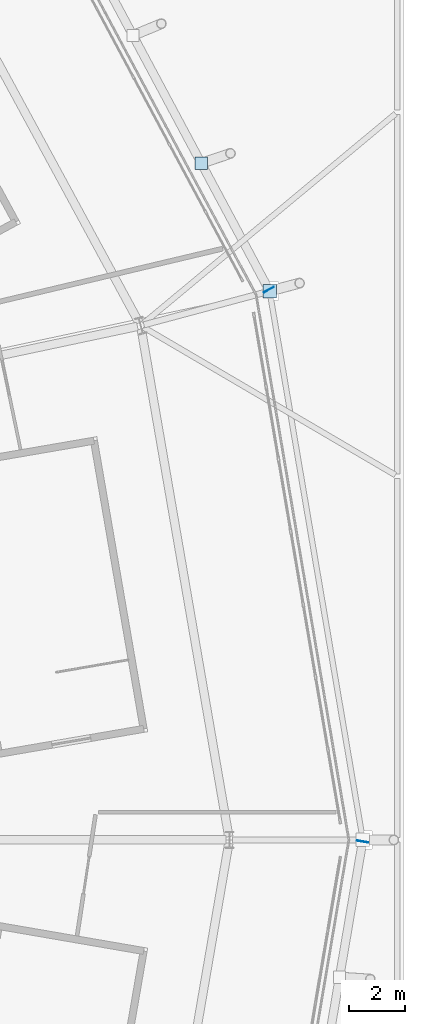
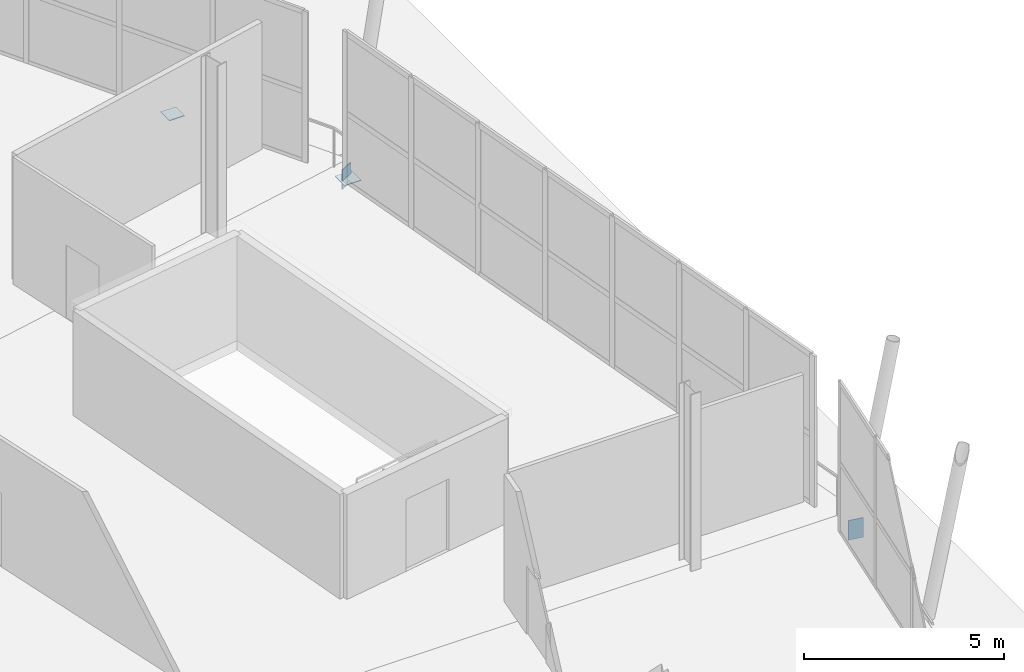
# One storey, part 87 of 126: 4 plates.
"""IFC4 building model written with IfcOpenShell, lengths in metres."""

from ifc_helpers import new_model, si_unit, direction, frame, origin, origin_2d, place, context, subcontext, project, spatial, rectangle, extrude, material, layer, layer_set, type_object, element, save


model = new_model("IFC4")

# Units and contexts
model_context = context("Model", 3, precision=1e-05, world=origin(), true_north=direction((0.0, 1.0)))
body_context = subcontext(model_context, "Body", "Model", "MODEL_VIEW")
ifc_project = project(units=[si_unit("LENGTHUNIT", "METRE"), si_unit("AREAUNIT", "SQUARE_METRE"), si_unit("VOLUMEUNIT", "CUBIC_METRE"), si_unit("PLANEANGLEUNIT", "RADIAN"), si_unit("MASSUNIT", "GRAM", prefix="KILO")], contexts=[model_context])

# Site, building, storey
site_placement = place(None, origin())
site = spatial("IfcSite", under=ifc_project, at=site_placement, CompositionType="ELEMENT")
building_placement = place(site_placement, origin())
building = spatial("IfcBuilding", under=site, at=building_placement, Name="Zlatoyarsky Gate Stadium", CompositionType="ELEMENT")
storey_placement = place(building_placement, frame((0.0, 0.0, 20.800048828125)))
storey = spatial("IfcBuildingStorey", under=building, at=storey_placement, Name="L04", CompositionType="ELEMENT", Elevation=20.800048828125)

# Plates
ifc_material = material(Name="Steel S355", Category="steel")
ifc_layer = layer(ifc_material, 0.02392578125)
ifc_layer_set = layer_set([ifc_layer], Name="Steel S355")
plate_type = type_object("IfcPlateType", Name="STEEL HOLLOW CHORD SPLICE SHEET 24", PredefinedType="SHEET", material=ifc_layer_set)
plate_1_placement = place(storey_placement, frame((205.409912109375, 99.66357421875, -0.85009765625), z_axis=(0.0, 0.0, 1.0), x_axis=(-0.471375588462, 0.881932568059, 0.0)))
element("IfcPlate", 1, at=plate_1_placement, inside=storey, type_object=plate_type, Name="Hollow end cap ND-SP1 CAP-L04-SPD-01 A", PredefinedType="SHEET", context=body_context, shape_type="SweptSolid", body=[
    extrude(rectangle(XDim=0.02392578125, YDim=0.39990234375, at=origin_2d()), origin(), (0.0, 0.0, 1.0), 0.60009765625),
])
plate_2_placement = place(storey_placement, frame((205.438232421875, 99.610595703125, -0.612060546875), z_axis=(0.0, 0.0, 1.0), x_axis=(1.0, 0.0, 0.0)))
element("IfcPlate", 2, at=plate_2_placement, inside=storey, type_object=plate_type, Name="Node closure plate ND-SP1 NCAP-L04-RSTR-01", PredefinedType="SHEET", context=body_context, shape_type="SweptSolid", body=[
    extrude(rectangle(XDim=0.47998046875, YDim=0.47998046875, at=origin_2d()), origin(), (0.0, 0.0, 1.0), 0.02392578125),
])
plate_3_placement = place(storey_placement, frame((208.759521484375, 79.94091796875, -0.85009765625), z_axis=(0.0, 0.0, 1.0), x_axis=(0.167478129765, 0.985875791391, 0.0)))
element("IfcPlate", 3, at=plate_3_placement, inside=storey, type_object=plate_type, Name="Hollow end cap ND-SP1 CAP-L04-SPD-23 B", PredefinedType="SHEET", context=body_context, shape_type="SweptSolid", body=[
    extrude(rectangle(XDim=0.02392578125, YDim=0.39990234375, at=origin_2d()), origin(), (0.0, 0.0, 1.0), 0.60009765625),
])
plate_4_placement = place(storey_placement, frame((202.996337890625, 104.17919921875, -0.56201171875), z_axis=(0.0, 0.0, 1.0), x_axis=(1.0, 0.0, 0.0)))
element("IfcPlate", 4, at=plate_4_placement, inside=storey, type_object=plate_type, Name="Node closure plate ND-SP1 NCAP-RIB-01-1-2T", PredefinedType="SHEET", context=body_context, shape_type="SweptSolid", body=[
    extrude(rectangle(XDim=0.43994140625, YDim=0.43994140625, at=origin_2d()), origin(), (0.0, 0.0, 1.0), 0.02392578125),
])

save(model, "model.ifc")
